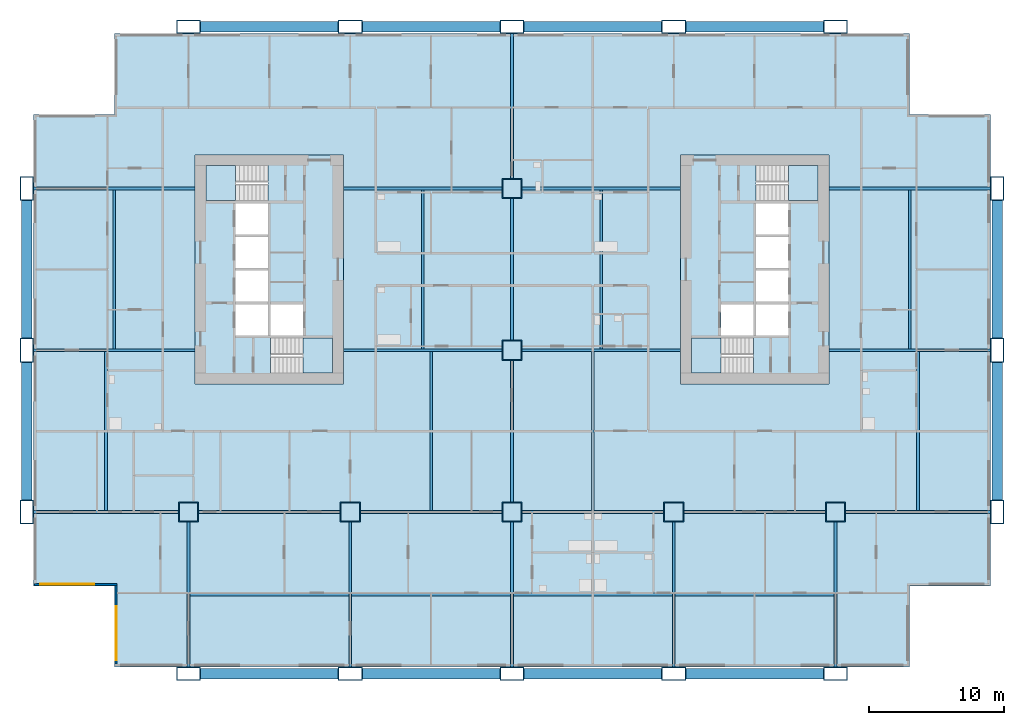
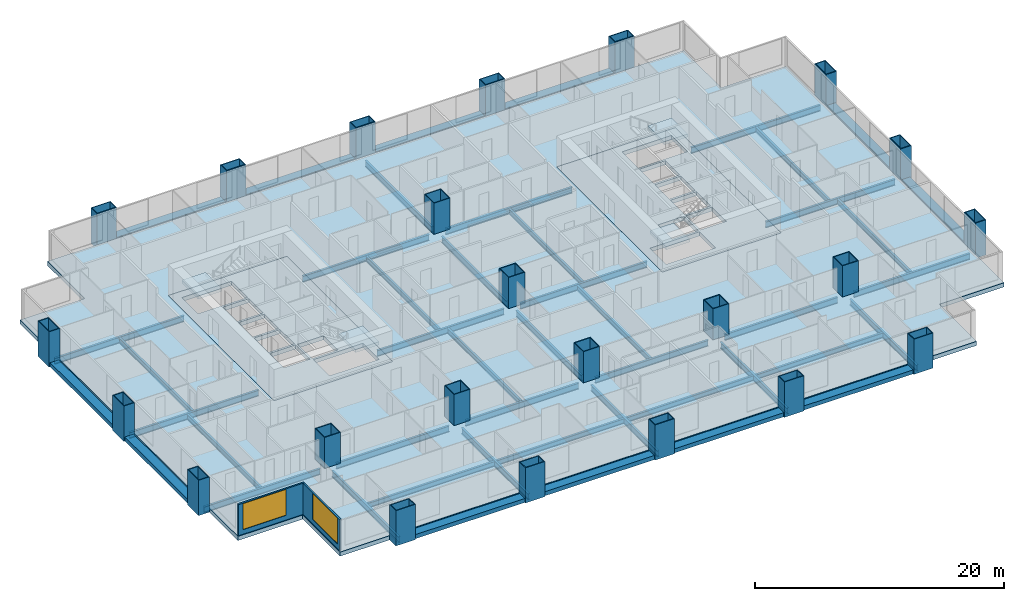
# One storey, part 1 of 13: 46 beams, 23 columns, 7 slabs, 2 walls, 2 windows, 2 openings, 4 elements without a shape of their own.
"""IFC4 building model written with IfcOpenShell, lengths in metres."""

from ifc_helpers import new_model, si_unit, direction, frame, frame_2d, origin, origin_2d, place, context, subcontext, project, spatial, polyline, rectangle, hollow_rectangle, i_section, outline, extrude, material, layer, layer_set, material_profile, profile_set, type_object, element, fill, aggregate, save


model = new_model("IFC4")

# Units and contexts
model_context = context("Model", 3, precision=1e-05, world=origin(), true_north=direction((0.0, 1.0)))
body_context = subcontext(model_context, "Body", "Model", "MODEL_VIEW")
ifc_project = project(units=[si_unit("LENGTHUNIT", "METRE"), si_unit("AREAUNIT", "SQUARE_METRE"), si_unit("VOLUMEUNIT", "CUBIC_METRE"), si_unit("PLANEANGLEUNIT", "RADIAN"), si_unit("MASSUNIT", "GRAM", prefix="KILO")], contexts=[model_context])

# Site, building, storey
site_placement = place(None, origin())
site = spatial("IfcSite", under=ifc_project, at=site_placement, CompositionType="ELEMENT")
building_placement = place(site_placement, origin())
building = spatial("IfcBuilding", under=site, at=building_placement, Name="Kitamizu Gate Tower and Museum", CompositionType="ELEMENT")
storey_placement = place(building_placement, frame((0.0, 0.0, 57.60009765625)))
storey = spatial("IfcBuildingStorey", under=building, at=storey_placement, Name="L13", CompositionType="ELEMENT", Elevation=57.60009765625)

# Columns
ifc_material_1 = material(Name="Steel SM490A bronze coated", Category="steel")
ifc_material_profile_1 = material_profile(ifc_material_1, hollow_rectangle(XDim=1.800048828125, YDim=1.0, WallThickness=0.070068359375, at=origin_2d()), Name="BOX 1800x1000x70")
ifc_profile_set_1 = profile_set([ifc_material_profile_1], Name="Steel SM490A bronze coated")
column_type_1 = type_object("IfcColumnType", Name="Exoskeleton column XC2 BOX 1800x1000x70", PredefinedType="COLUMN", material=ifc_profile_set_1)
for number, where, z_axis, x_axis, name in (
    (1, (0.0, 12.0, -0.400146484375), (0.0, 0.0, 1.0), (0.0, 1.0, 0.0), "Column XC2 1B L13"),
    (2, (0.0, 24.0, -0.400146484375), (0.0, 0.0, 1.0), (0.0, 1.0, 0.0), "Column XC2 1C L13"),
    (3, (0.0, 36.0, -0.400146484375), (0.0, 0.0, 1.0), (0.0, 1.0, 0.0), "Column XC2 1D L13"),
    (4, (12.0, 0.0, -0.400146484375), (0.0, 0.0, 1.0), (1.0, 0.0, 0.0), "Column XC2 2A L13"),
    (5, (12.0, 48.0, -0.400146484375), (0.0, 0.0, 1.0), (1.0, 0.0, 0.0), "Column XC2 2E L13"),
    (6, (24.0, 0.0, -0.400146484375), (0.0, 0.0, 1.0), (1.0, 0.0, 0.0), "Column XC2 3A L13"),
    (7, (24.0, 48.0, -0.400146484375), (0.0, 0.0, 1.0), (1.0, 0.0, 0.0), "Column XC2 3E L13"),
    (8, (36.0, 0.0, -0.400146484375), (0.0, 0.0, 1.0), (1.0, 0.0, 0.0), "Column XC2 4A L13"),
    (9, (36.0, 48.0, -0.400146484375), (0.0, 0.0, 1.0), (1.0, 0.0, 0.0), "Column XC2 4E L13"),
    (10, (48.0, 0.0, -0.400146484375), (0.0, 0.0, 1.0), (1.0, 0.0, 0.0), "Column XC2 5A L13"),
    (11, (48.0, 48.0, -0.400146484375), (0.0, 0.0, 1.0), (1.0, 0.0, 0.0), "Column XC2 5E L13"),
    (12, (60.0, 0.0, -0.400146484375), (0.0, 0.0, 1.0), (1.0, 0.0, 0.0), "Column XC2 6A L13"),
    (13, (60.0, 48.0, -0.400146484375), (0.0, 0.0, 1.0), (1.0, 0.0, 0.0), "Column XC2 6E L13"),
    (14, (72.0, 12.0, -0.400146484375), (0.0, 0.0, 1.0), (0.0, 1.0, 0.0), "Column XC2 7B L13"),
    (15, (72.0, 24.0, -0.400146484375), (0.0, 0.0, 1.0), (0.0, 1.0, 0.0), "Column XC2 7C L13"),
    (16, (72.0, 36.0, -0.400146484375), (0.0, 0.0, 1.0), (0.0, 1.0, 0.0), "Column XC2 7D L13"),
):
    element("IfcColumn", number, at=place(storey_placement, frame(where, z_axis=z_axis, x_axis=x_axis)), inside=storey, type_object=column_type_1, Name=name, PredefinedType="COLUMN", context=body_context, shape_type="SweptSolid", body=[
        extrude(hollow_rectangle(XDim=1.800048828125, YDim=1.0, WallThickness=0.070068359375, at=origin_2d()), origin(), (0.0, 0.0, 1.0), 3.449951171875),
    ])
ifc_material_2 = material(Name="Steel SM490A", Category="steel")
ifc_material_profile_2 = material_profile(ifc_material_2, hollow_rectangle(XDim=1.5, YDim=1.5, WallThickness=0.06494140625, at=origin_2d()), Name="BOX 1500x1500x65")
ifc_profile_set_2 = profile_set([ifc_material_profile_2], Name="Steel SM490A")
column_type_2 = type_object("IfcColumnType", Name="Interior column IC2 BOX 1500x1500x65", PredefinedType="COLUMN", material=ifc_profile_set_2)
for number, where, z_axis, x_axis, name in (
    (17, (12.0, 12.0, 0.0), (0.0, 0.0, 1.0), (1.0, 0.0, 0.0), "Column IC2 2B L13"),
    (18, (24.0, 12.0, 0.0), (0.0, 0.0, 1.0), (1.0, 0.0, 0.0), "Column IC2 3B L13"),
    (19, (36.0, 12.0, 0.0), (0.0, 0.0, 1.0), (1.0, 0.0, 0.0), "Column IC2 4B L13"),
    (20, (36.0, 24.0, 0.0), (0.0, 0.0, 1.0), (1.0, 0.0, 0.0), "Column IC2 4C L13"),
    (21, (36.0, 36.0, 0.0), (0.0, 0.0, 1.0), (1.0, 0.0, 0.0), "Column IC2 4D L13"),
    (22, (48.0, 12.0, 0.0), (0.0, 0.0, 1.0), (1.0, 0.0, 0.0), "Column IC2 5B L13"),
    (23, (60.0, 12.0, 0.0), (0.0, 0.0, 1.0), (1.0, 0.0, 0.0), "Column IC2 6B L13"),
):
    element("IfcColumn", number, at=place(storey_placement, frame(where, z_axis=z_axis, x_axis=x_axis)), inside=storey, type_object=column_type_2, Name=name, PredefinedType="COLUMN", context=body_context, shape_type="SweptSolid", body=[
        extrude(hollow_rectangle(XDim=1.5, YDim=1.5, WallThickness=0.06494140625, at=origin_2d()), origin(), (0.0, 0.0, 1.0), 3.0498046875),
    ])

# Beams
ifc_material_3 = material(Name="Steel SM490A bronze coated", Category="steel")
ifc_material_profile_3 = material_profile(ifc_material_3, hollow_rectangle(XDim=0.800048828125, YDim=0.39990234375, WallThickness=0.0400390625, at=origin_2d()), Name="BOX 800x400x40")
ifc_profile_set_3 = profile_set([ifc_material_profile_3], Name="Steel SM490A bronze coated")
beam_type_1 = type_object("IfcBeamType", Name="Exoskeleton spandrel beam SB1 BOX 800x400x40", PredefinedType="SPANDREL", material=ifc_profile_set_3)
for number, where, z_axis, x_axis, name in (
    (24, (12.89990234375, 0.0, -0.2001953125), (1.0, 0.0, 0.0), (0.0, 1.0, 0.0), "Exoskeleton spandrel beam south 12 L13"),
    (25, (24.89990234375, 0.0, -0.2001953125), (1.0, 0.0, 0.0), (0.0, 1.0, 0.0), "Exoskeleton spandrel beam south 24 L13"),
    (26, (36.89990234375, 0.0, -0.2001953125), (1.0, 0.0, 0.0), (0.0, 1.0, 0.0), "Exoskeleton spandrel beam south 36 L13"),
    (27, (48.89990234375, 0.0, -0.2001953125), (1.0, 0.0, 0.0), (0.0, 1.0, 0.0), "Exoskeleton spandrel beam south 48 L13"),
    (28, (12.89990234375, 48.0, -0.2001953125), (1.0, 0.0, 0.0), (0.0, 1.0, 0.0), "Exoskeleton spandrel beam north 12 L13"),
    (29, (24.89990234375, 48.0, -0.2001953125), (1.0, 0.0, 0.0), (0.0, 1.0, 0.0), "Exoskeleton spandrel beam north 24 L13"),
    (30, (36.89990234375, 48.0, -0.2001953125), (1.0, 0.0, 0.0), (0.0, 1.0, 0.0), "Exoskeleton spandrel beam north 36 L13"),
    (31, (48.89990234375, 48.0, -0.2001953125), (1.0, 0.0, 0.0), (0.0, 1.0, 0.0), "Exoskeleton spandrel beam north 48 L13"),
    (32, (0.0, 12.89990234375, -0.2001953125), (0.0, 1.0, 0.0), (-1.0, 0.0, 0.0), "Exoskeleton spandrel beam west 12 L13"),
    (33, (0.0, 24.89990234375, -0.2001953125), (0.0, 1.0, 0.0), (-1.0, 0.0, 0.0), "Exoskeleton spandrel beam west 24 L13"),
    (34, (72.0, 12.89990234375, -0.2001953125), (0.0, 1.0, 0.0), (-1.0, 0.0, 0.0), "Exoskeleton spandrel beam east 12 L13"),
    (35, (72.0, 24.89990234375, -0.2001953125), (0.0, 1.0, 0.0), (-1.0, 0.0, 0.0), "Exoskeleton spandrel beam east 24 L13"),
):
    element("IfcBeam", number, at=place(storey_placement, frame(where, z_axis=z_axis, x_axis=x_axis)), inside=storey, type_object=beam_type_1, Name=name, PredefinedType="SPANDREL", context=body_context, shape_type="SweptSolid", body=[
        extrude(hollow_rectangle(XDim=0.800048828125, YDim=0.39990234375, WallThickness=0.0400390625, at=origin_2d()), origin(), (0.0, 0.0, 1.0), 10.2001953125),
    ])
ifc_material_4 = material(Name="Steel SM490A", Category="steel")
ifc_material_profile_4 = material_profile(ifc_material_4, i_section(OverallWidth=0.199951171875, OverallDepth=0.5, WebThickness=0.010009765625, FlangeThickness=0.01611328125, FilletRadius=0.02001953125, at=origin_2d()), Name="H-500x200x10x16")
ifc_profile_set_4 = profile_set([ifc_material_profile_4], Name="Steel SM490A")
beam_type_2 = type_object("IfcBeamType", Name="Floor beam FB1 H 500x200x10x16", PredefinedType="BEAM", material=ifc_profile_set_4)
for number, where, z_axis, x_axis, name in (
    (36, (12.10009765625, 5.875, -0.650146484375), (1.0, 0.0, 0.0), (0.0, 1.0, 0.0), "Floor beam FB1 L13-1"),
    (37, (24.10009765625, 5.875, -0.650146484375), (1.0, 0.0, 0.0), (0.0, 1.0, 0.0), "Floor beam FB1 L13-2"),
    (38, (36.10009765625, 5.875, -0.650146484375), (1.0, 0.0, 0.0), (0.0, 1.0, 0.0), "Floor beam FB1 L13-3"),
    (39, (48.10009765625, 5.875, -0.650146484375), (1.0, 0.0, 0.0), (0.0, 1.0, 0.0), "Floor beam FB1 L13-4"),
    (40, (5.875, 12.10009765625, -0.650146484375), (0.0, 1.0, 0.0), (-1.0, 0.0, 0.0), "Floor beam FB1 L13-5"),
    (41, (30.0, 12.10009765625, -0.650146484375), (0.0, 1.0, 0.0), (-1.0, 0.0, 0.0), "Floor beam FB1 L13-6"),
    (42, (42.0, 12.10009765625, -0.650146484375), (0.0, 1.0, 0.0), (-1.0, 0.0, 0.0), "Floor beam FB1 L13-7"),
    (43, (66.125, 12.10009765625, -0.650146484375), (0.0, 1.0, 0.0), (-1.0, 0.0, 0.0), "Floor beam FB1 L13-8"),
    (44, (6.5, 24.10009765625, -0.650146484375), (0.0, 1.0, 0.0), (-1.0, 0.0, 0.0), "Floor beam FB1 L13-9"),
    (45, (29.375, 24.10009765625, -0.650146484375), (0.0, 1.0, 0.0), (-1.0, 0.0, 0.0), "Floor beam FB1 L13-10"),
    (46, (42.625, 24.10009765625, -0.650146484375), (0.0, 1.0, 0.0), (-1.0, 0.0, 0.0), "Floor beam FB1 L13-11"),
    (47, (65.5, 24.10009765625, -0.650146484375), (0.0, 1.0, 0.0), (-1.0, 0.0, 0.0), "Floor beam FB1 L13-12"),
):
    element("IfcBeam", number, at=place(storey_placement, frame(where, z_axis=z_axis, x_axis=x_axis)), inside=storey, type_object=beam_type_2, Name=name, PredefinedType="BEAM", context=body_context, shape_type="SweptSolid", body=[
        extrude(i_section(OverallWidth=0.199951171875, OverallDepth=0.5, WebThickness=0.010009765625, FlangeThickness=0.01611328125, FilletRadius=0.02001953125, at=origin_2d()), origin(), (0.0, 0.0, 1.0), 11.7998046875),
    ])
ifc_material_5 = material(Name="Steel SM490A", Category="steel")
ifc_material_profile_5 = material_profile(ifc_material_5, i_section(OverallWidth=0.199951171875, OverallDepth=0.60009765625, WebThickness=0.010986328125, FlangeThickness=0.01708984375, FilletRadius=0.02197265625, at=origin_2d()), Name="H-600x200x11x17")
ifc_profile_set_5 = profile_set([ifc_material_profile_5], Name="Steel SM490A")
beam_type_3 = type_object("IfcBeamType", Name="Floor girder FG1 H 600x200x11x17", PredefinedType="BEAM", material=ifc_profile_set_5)
for number, where, z_axis, x_axis, name in (
    (48, (12.0, 0.5, -0.7001953125), (0.0, 1.0, 0.0), (-1.0, 0.0, 0.0), "Floor girder FG1 x12 L13"),
    (49, (24.0, 0.5, -0.7001953125), (0.0, 1.0, 0.0), (-1.0, 0.0, 0.0), "Floor girder FG1 x24 L13"),
    (50, (36.0, 0.5, -0.7001953125), (0.0, 1.0, 0.0), (-1.0, 0.0, 0.0), "Floor girder FG1 x36 L13"),
):
    element("IfcBeam", number, at=place(storey_placement, frame(where, z_axis=z_axis, x_axis=x_axis)), inside=storey, type_object=beam_type_3, Name=name, PredefinedType="BEAM", context=body_context, shape_type="SweptSolid", body=[
        extrude(i_section(OverallWidth=0.199951171875, OverallDepth=0.60009765625, WebThickness=0.010986328125, FlangeThickness=0.01708984375, FilletRadius=0.02197265625, at=origin_2d()), origin(), (0.0, 0.0, 1.0), 10.75),
    ])
for number, where, z_axis, x_axis, name in (
    (51, (36.0, 12.75, -0.7001953125), (0.0, 1.0, 0.0), (-1.0, 0.0, 0.0), "Floor girder FG1 x36 L13"),
    (52, (36.0, 24.75, -0.7001953125), (0.0, 1.0, 0.0), (-1.0, 0.0, 0.0), "Floor girder FG1 x36 L13"),
):
    element("IfcBeam", number, at=place(storey_placement, frame(where, z_axis=z_axis, x_axis=x_axis)), inside=storey, type_object=beam_type_3, Name=name, PredefinedType="BEAM", context=body_context, shape_type="SweptSolid", body=[
        extrude(i_section(OverallWidth=0.199951171875, OverallDepth=0.60009765625, WebThickness=0.010986328125, FlangeThickness=0.01708984375, FilletRadius=0.02197265625, at=origin_2d()), origin(), (0.0, 0.0, 1.0), 10.5),
    ])
for number, where, z_axis, x_axis, name in (
    (53, (36.0, 36.75, -0.7001953125), (0.0, 1.0, 0.0), (-1.0, 0.0, 0.0), "Floor girder FG1 x36 L13"),
    (54, (48.0, 0.5, -0.7001953125), (0.0, 1.0, 0.0), (-1.0, 0.0, 0.0), "Floor girder FG1 x48 L13"),
    (55, (60.0, 0.5, -0.7001953125), (0.0, 1.0, 0.0), (-1.0, 0.0, 0.0), "Floor girder FG1 x60 L13"),
    (56, (0.5, 12.0, -0.7001953125), (1.0, 0.0, 0.0), (0.0, 1.0, 0.0), "Floor girder FG1 y12 L13"),
):
    element("IfcBeam", number, at=place(storey_placement, frame(where, z_axis=z_axis, x_axis=x_axis)), inside=storey, type_object=beam_type_3, Name=name, PredefinedType="BEAM", context=body_context, shape_type="SweptSolid", body=[
        extrude(i_section(OverallWidth=0.199951171875, OverallDepth=0.60009765625, WebThickness=0.010986328125, FlangeThickness=0.01708984375, FilletRadius=0.02197265625, at=origin_2d()), origin(), (0.0, 0.0, 1.0), 10.75),
    ])
for number, where, z_axis, x_axis, name in (
    (57, (12.75, 12.0, -0.7001953125), (1.0, 0.0, 0.0), (0.0, 1.0, 0.0), "Floor girder FG1 y12 L13"),
    (58, (24.75, 12.0, -0.7001953125), (1.0, 0.0, 0.0), (0.0, 1.0, 0.0), "Floor girder FG1 y12 L13"),
    (59, (36.75, 12.0, -0.7001953125), (1.0, 0.0, 0.0), (0.0, 1.0, 0.0), "Floor girder FG1 y12 L13"),
    (60, (48.75, 12.0, -0.7001953125), (1.0, 0.0, 0.0), (0.0, 1.0, 0.0), "Floor girder FG1 y12 L13"),
):
    element("IfcBeam", number, at=place(storey_placement, frame(where, z_axis=z_axis, x_axis=x_axis)), inside=storey, type_object=beam_type_3, Name=name, PredefinedType="BEAM", context=body_context, shape_type="SweptSolid", body=[
        extrude(i_section(OverallWidth=0.199951171875, OverallDepth=0.60009765625, WebThickness=0.010986328125, FlangeThickness=0.01708984375, FilletRadius=0.02197265625, at=origin_2d()), origin(), (0.0, 0.0, 1.0), 10.5),
    ])
beam_1_placement = place(storey_placement, frame((60.75, 12.0, -0.7001953125), z_axis=(1.0, 0.0, 0.0), x_axis=(0.0, 1.0, 0.0)))
element("IfcBeam", 61, at=beam_1_placement, inside=storey, type_object=beam_type_3, Name="Floor girder FG1 y12 L13", PredefinedType="BEAM", context=body_context, shape_type="SweptSolid", body=[
    extrude(i_section(OverallWidth=0.199951171875, OverallDepth=0.60009765625, WebThickness=0.010986328125, FlangeThickness=0.01708984375, FilletRadius=0.02197265625, at=origin_2d()), origin(), (0.0, 0.0, 1.0), 10.75),
])
beam_2_placement = place(storey_placement, frame((0.5, 24.0, -0.7001953125), z_axis=(1.0, 0.0, 0.0), x_axis=(0.0, 1.0, 0.0)))
element("IfcBeam", 62, at=beam_2_placement, inside=storey, type_object=beam_type_3, Name="Floor girder FG1 y24 L13", PredefinedType="BEAM", context=body_context, shape_type="SweptSolid", body=[
    extrude(i_section(OverallWidth=0.199951171875, OverallDepth=0.60009765625, WebThickness=0.010986328125, FlangeThickness=0.01708984375, FilletRadius=0.02197265625, at=origin_2d()), origin(), (0.0, 0.0, 1.0), 12.0),
])
for number, where, z_axis, x_axis, name in (
    (63, (23.5, 24.0, -0.7001953125), (1.0, 0.0, 0.0), (0.0, 1.0, 0.0), "Floor girder FG1 y24 L13"),
    (64, (36.75, 24.0, -0.7001953125), (1.0, 0.0, 0.0), (0.0, 1.0, 0.0), "Floor girder FG1 y24 L13"),
):
    element("IfcBeam", number, at=place(storey_placement, frame(where, z_axis=z_axis, x_axis=x_axis)), inside=storey, type_object=beam_type_3, Name=name, PredefinedType="BEAM", context=body_context, shape_type="SweptSolid", body=[
        extrude(i_section(OverallWidth=0.199951171875, OverallDepth=0.60009765625, WebThickness=0.010986328125, FlangeThickness=0.01708984375, FilletRadius=0.02197265625, at=origin_2d()), origin(), (0.0, 0.0, 1.0), 11.75),
    ])
for number, where, z_axis, x_axis, name in (
    (65, (59.5, 24.0, -0.7001953125), (1.0, 0.0, 0.0), (0.0, 1.0, 0.0), "Floor girder FG1 y24 L13"),
    (66, (0.5, 36.0, -0.7001953125), (1.0, 0.0, 0.0), (0.0, 1.0, 0.0), "Floor girder FG1 y36 L13"),
):
    element("IfcBeam", number, at=place(storey_placement, frame(where, z_axis=z_axis, x_axis=x_axis)), inside=storey, type_object=beam_type_3, Name=name, PredefinedType="BEAM", context=body_context, shape_type="SweptSolid", body=[
        extrude(i_section(OverallWidth=0.199951171875, OverallDepth=0.60009765625, WebThickness=0.010986328125, FlangeThickness=0.01708984375, FilletRadius=0.02197265625, at=origin_2d()), origin(), (0.0, 0.0, 1.0), 12.0),
    ])
for number, where, z_axis, x_axis, name in (
    (67, (23.5, 36.0, -0.7001953125), (1.0, 0.0, 0.0), (0.0, 1.0, 0.0), "Floor girder FG1 y36 L13"),
    (68, (36.75, 36.0, -0.7001953125), (1.0, 0.0, 0.0), (0.0, 1.0, 0.0), "Floor girder FG1 y36 L13"),
):
    element("IfcBeam", number, at=place(storey_placement, frame(where, z_axis=z_axis, x_axis=x_axis)), inside=storey, type_object=beam_type_3, Name=name, PredefinedType="BEAM", context=body_context, shape_type="SweptSolid", body=[
        extrude(i_section(OverallWidth=0.199951171875, OverallDepth=0.60009765625, WebThickness=0.010986328125, FlangeThickness=0.01708984375, FilletRadius=0.02197265625, at=origin_2d()), origin(), (0.0, 0.0, 1.0), 11.75),
    ])
beam_3_placement = place(storey_placement, frame((59.5, 36.0, -0.7001953125), z_axis=(1.0, 0.0, 0.0), x_axis=(0.0, 1.0, 0.0)))
element("IfcBeam", 69, at=beam_3_placement, inside=storey, type_object=beam_type_3, Name="Floor girder FG1 y36 L13", PredefinedType="BEAM", context=body_context, shape_type="SweptSolid", body=[
    extrude(i_section(OverallWidth=0.199951171875, OverallDepth=0.60009765625, WebThickness=0.010986328125, FlangeThickness=0.01708984375, FilletRadius=0.02197265625, at=origin_2d()), origin(), (0.0, 0.0, 1.0), 12.0),
])

# Slabs
ifc_material_6 = material(Name="Concrete Fc36", Category="concrete")
ifc_layer_1 = layer(ifc_material_6, 0.39990234375)
ifc_layer_set_1 = layer_set([ifc_layer_1], Name="Concrete Fc36")
slab_type_1 = type_object("IfcSlabType", Name="Core floor slab 400", PredefinedType="FLOOR", material=ifc_layer_set_1)
slab_1_placement = place(storey_placement, frame((0.0, 0.0, -0.400146484375)))
element("IfcSlab", 70, at=slab_1_placement, inside=storey, type_object=slab_type_1, Name="Core floor slab W", PredefinedType="FLOOR", context=body_context, shape_type="SweptSolid", body=[
    extrude(outline(polyline([(12.5, 21.5), (23.5, 21.5), (23.5, 38.5), (12.5, 38.5), (12.5, 21.5)]), holes=[polyline([(15.5, 25.10009765625), (17.89990234375, 25.10009765625), (17.89990234375, 27.39990234375), (15.5, 27.39990234375), (15.5, 25.10009765625)]), polyline([(15.5, 27.60009765625), (17.89990234375, 27.60009765625), (17.89990234375, 29.89990234375), (15.5, 29.89990234375), (15.5, 27.60009765625)]), polyline([(15.5, 30.10009765625), (17.89990234375, 30.10009765625), (17.89990234375, 32.39990234375), (15.5, 32.39990234375), (15.5, 30.10009765625)]), polyline([(15.5, 32.60009765625), (17.89990234375, 32.60009765625), (17.89990234375, 34.89990234375), (15.5, 34.89990234375), (15.5, 32.60009765625)]), polyline([(18.10009765625, 25.10009765625), (20.5, 25.10009765625), (20.5, 27.39990234375), (18.10009765625, 27.39990234375), (18.10009765625, 25.10009765625)]), polyline([(18.1005859375, 22.300048828125), (22.699951171875, 22.300048828125), (22.699951171875, 24.89990234375), (18.1005859375, 24.89990234375), (18.1005859375, 22.300048828125)]), polyline([(13.300048828125, 35.10009765625), (17.8994140625, 35.10009765625), (17.8994140625, 37.699951171875), (13.300048828125, 37.699951171875), (13.300048828125, 35.10009765625)])]), origin(), (0.0, 0.0, 1.0), 0.400146484375),
])
slab_2_placement = place(storey_placement, frame((0.0, 0.0, -0.400146484375)))
element("IfcSlab", 71, at=slab_2_placement, inside=storey, type_object=slab_type_1, Name="Core floor slab E", PredefinedType="FLOOR", context=body_context, shape_type="SweptSolid", body=[
    extrude(outline(polyline([(48.5, 21.5), (59.5, 21.5), (59.5, 38.5), (48.5, 38.5), (48.5, 21.5)]), holes=[polyline([(54.10009765625, 25.10009765625), (56.5, 25.10009765625), (56.5, 27.39990234375), (54.10009765625, 27.39990234375), (54.10009765625, 25.10009765625)]), polyline([(54.10009765625, 27.60009765625), (56.5, 27.60009765625), (56.5, 29.89990234375), (54.10009765625, 29.89990234375), (54.10009765625, 27.60009765625)]), polyline([(54.10009765625, 30.10009765625), (56.5, 30.10009765625), (56.5, 32.39990234375), (54.10009765625, 32.39990234375), (54.10009765625, 30.10009765625)]), polyline([(54.10009765625, 32.60009765625), (56.5, 32.60009765625), (56.5, 34.89990234375), (54.10009765625, 34.89990234375), (54.10009765625, 32.60009765625)]), polyline([(51.5, 25.10009765625), (53.89990234375, 25.10009765625), (53.89990234375, 27.39990234375), (51.5, 27.39990234375), (51.5, 25.10009765625)]), polyline([(49.300048828125, 22.300048828125), (53.8994140625, 22.300048828125), (53.8994140625, 24.89990234375), (49.300048828125, 24.89990234375), (49.300048828125, 22.300048828125)]), polyline([(54.1005859375, 35.10009765625), (58.699951171875, 35.10009765625), (58.699951171875, 37.699951171875), (54.1005859375, 37.699951171875), (54.1005859375, 35.10009765625)])]), origin(), (0.0, 0.0, 1.0), 0.400146484375),
])
ifc_material_7 = material(Name="Concrete Fc36", Category="concrete")
ifc_layer_2 = layer(ifc_material_7, 0.39990234375)
ifc_layer_set_2 = layer_set([ifc_layer_2], Name="Concrete Fc36")
slab_type_2 = type_object("IfcSlabType", Name="Post tensioned flat slab 400", PredefinedType="FLOOR", material=ifc_layer_set_2)
slab_3_placement = place(storey_placement, frame((0.0, 0.0, -0.400146484375)))
element("IfcSlab", 72, at=slab_3_placement, inside=storey, type_object=slab_type_2, Name="Floor slab L13-1", PredefinedType="FLOOR", context=body_context, shape_type="SweptSolid", body=[
    extrude(outline(polyline([(0.5, 6.5), (0.5, 41.5), (6.5, 41.5), (6.5, 47.5), (65.5, 47.5), (65.5, 41.5), (71.5, 41.5), (71.5, 6.5), (65.5, 6.5), (65.5, 0.5), (6.5, 0.5), (6.5, 6.5), (0.5, 6.5)]), holes=[polyline([(59.5, 38.5), (48.5, 38.5), (48.5, 21.5), (59.5, 21.5), (59.5, 38.5)]), polyline([(12.5, 38.5), (12.5, 21.5), (23.5, 21.5), (23.5, 38.5), (12.5, 38.5)])]), origin(), (0.0, 0.0, 1.0), 0.400146484375),
])

# Stair, slab
ifc_material_8 = material(Name="Concrete Fc42", Category="concrete")
stair_type = type_object("IfcStairType", Name="Exit stair 1200 wide 192 rise 300 going", PredefinedType="HALF_TURN_STAIR", material=ifc_material_8)
stair_1_placement = place(storey_placement, origin())
stair_1 = element("IfcStair", 73, at=stair_1_placement, inside=storey, type_object=stair_type, Name="Exit stair ST1", PredefinedType="HALF_TURN_STAIR")
ifc_material_9 = material(Name="Concrete Fc42", Category="concrete")
ifc_layer_3 = layer(ifc_material_9, 0.300048828125)
ifc_layer_set_3 = layer_set([ifc_layer_3], Name="Concrete Fc42")
slab_type_3 = type_object("IfcSlabType", Name="Stair landing 300", PredefinedType="LANDING", material=ifc_layer_set_3)
slab_4_placement = place(storey_placement, frame((0.0, 0.0, 1.4248046875)))
slab_4 = element("IfcSlab", 74, at=slab_4_placement, type_object=slab_type_3, Name="ST1 landing 1", PredefinedType="LANDING", context=body_context, shape_type="SweptSolid", body=[
    extrude(outline(polyline([(20.5, 22.300048828125), (22.699951171875, 22.300048828125), (22.699951171875, 24.89990234375), (20.5, 24.89990234375), (20.5, 22.300048828125)])), origin(), (0.0, 0.0, 1.0), 0.300048828125),
])
aggregate(stair_1, [slab_4])

stair_2_placement = place(storey_placement, origin())
stair_2 = element("IfcStair", 75, at=stair_2_placement, inside=storey, type_object=stair_type, Name="Exit stair ST2", PredefinedType="HALF_TURN_STAIR")
slab_5_placement = place(storey_placement, frame((0.0, 0.0, 1.4248046875)))
slab_5 = element("IfcSlab", 76, at=slab_5_placement, type_object=slab_type_3, Name="ST2 landing 1", PredefinedType="LANDING", context=body_context, shape_type="SweptSolid", body=[
    extrude(outline(polyline([(13.300048828125, 35.10009765625), (15.5, 35.10009765625), (15.5, 37.699951171875), (13.300048828125, 37.699951171875), (13.300048828125, 35.10009765625)])), origin(), (0.0, 0.0, 1.0), 0.300048828125),
])
aggregate(stair_2, [slab_5])

stair_3_placement = place(storey_placement, origin())
stair_3 = element("IfcStair", 77, at=stair_3_placement, inside=storey, type_object=stair_type, Name="Exit stair ST3", PredefinedType="HALF_TURN_STAIR")
slab_6_placement = place(storey_placement, frame((0.0, 0.0, 1.4248046875)))
slab_6 = element("IfcSlab", 78, at=slab_6_placement, type_object=slab_type_3, Name="ST3 landing 1", PredefinedType="LANDING", context=body_context, shape_type="SweptSolid", body=[
    extrude(outline(polyline([(49.300048828125, 22.300048828125), (51.5, 22.300048828125), (51.5, 24.89990234375), (49.300048828125, 24.89990234375), (49.300048828125, 22.300048828125)])), origin(), (0.0, 0.0, 1.0), 0.300048828125),
])
aggregate(stair_3, [slab_6])

stair_4_placement = place(storey_placement, origin())
stair_4 = element("IfcStair", 79, at=stair_4_placement, inside=storey, type_object=stair_type, Name="Exit stair ST4", PredefinedType="HALF_TURN_STAIR")
slab_7_placement = place(storey_placement, frame((0.0, 0.0, 1.4248046875)))
slab_7 = element("IfcSlab", 80, at=slab_7_placement, type_object=slab_type_3, Name="ST4 landing 1", PredefinedType="LANDING", context=body_context, shape_type="SweptSolid", body=[
    extrude(outline(polyline([(56.5, 35.10009765625), (58.699951171875, 35.10009765625), (58.699951171875, 37.699951171875), (56.5, 37.699951171875), (56.5, 35.10009765625)])), origin(), (0.0, 0.0, 1.0), 0.300048828125),
])
aggregate(stair_4, [slab_7])

# Wall, opening, window
ifc_material_10 = material(Name="Bronze anodised aluminium frame with insulated spandrel and tinted glass", Category="aluminium")
ifc_layer_4 = layer(ifc_material_10, 0.14990234375)
ifc_layer_set_4 = layer_set([ifc_layer_4], Name="Bronze anodised aluminium frame with insulated spandrel and tinted glass")
wall_type = type_object("IfcWallType", Name="WINDOW WALL 150 BRONZE FRAME EI 30", PredefinedType="ELEMENTEDWALL", material=ifc_layer_set_4)
wall_1_placement = place(storey_placement, frame((0.56005859375, 6.635009765625, 0.0), z_axis=(0.0, 0.0, 1.0), x_axis=(1.0, 0.0, 0.0)))
wall_1 = element("IfcWall", 81, at=wall_1_placement, inside=storey, type_object=wall_type, Name="Window wall south L13", PredefinedType="ELEMENTEDWALL", context=body_context, shape_type="SweptSolid", body=[
    extrude(rectangle(XDim=6.14990234375, YDim=0.14990234375, at=frame_2d((3.074951171875, 0.0))), origin(), (0.0, 0.0, 1.0), 3.0498046875),
])
opening_1_placement = place(wall_1_placement, frame((0.43994140625, 0.0, 0.449951171875)))
opening_1 = element("IfcOpeningElement", 82, at=opening_1_placement, cuts=wall_1, Name="Opening W16", PredefinedType="OPENING", context=body_context, shape_type="SweptSolid", body=[
    extrude(rectangle(XDim=4.0, YDim=2.550048828125, at=frame_2d((2.0, 1.27490234375))), frame((0.0, 0.0849609375, 0.0), z_axis=(0.0, -1.0, 0.0), x_axis=(1.0, 0.0, 0.0)), (0.0, 0.0, 1.0), 0.169921875),
])
ifc_material_11 = material(Name="Bronze anodised aluminium frame, tinted triple glazing", Category="aluminium")
window_type = type_object("IfcWindowType", Name="WINDOW 4000 x 2550 SILL 450", PartitioningType="SINGLE_PANEL", PredefinedType="WINDOW", material=ifc_material_11)
window_1_placement = place(opening_1_placement, origin())
window_1 = element("IfcWindow", 83, at=window_1_placement, inside=storey, type_object=window_type, Name="Window W16 L13", OverallHeight=2.550048828125, OverallWidth=4.0, PartitioningType="SINGLE_PANEL", PredefinedType="WINDOW", context=body_context, shape_type="SweptSolid", body=[
    extrude(rectangle(XDim=4.0, YDim=2.550048828125, at=frame_2d((2.0, 1.27490234375))), frame((0.0, 0.030029296875, 0.0), z_axis=(0.0, -1.0, 0.0), x_axis=(1.0, 0.0, 0.0)), (0.0, 0.0, 1.0), 0.06005859375),
])
fill(opening_1, window_1)

wall_2_placement = place(storey_placement, frame((6.635009765625, 0.7099609375, 0.0), z_axis=(0.0, 0.0, 1.0), x_axis=(0.0, 1.0, 0.0)))
wall_2 = element("IfcWall", 84, at=wall_2_placement, inside=storey, type_object=wall_type, Name="Window wall west L13", PredefinedType="ELEMENTEDWALL", context=body_context, shape_type="SweptSolid", body=[
    extrude(rectangle(XDim=5.85009765625, YDim=0.14990234375, at=frame_2d((2.925048828125, 0.0))), origin(), (0.0, 0.0, 1.0), 3.0498046875),
])
opening_2_placement = place(wall_2_placement, frame((0.2900390625, 0.0, 0.449951171875)))
opening_2 = element("IfcOpeningElement", 85, at=opening_2_placement, cuts=wall_2, Name="Opening W16", PredefinedType="OPENING", context=body_context, shape_type="SweptSolid", body=[
    extrude(rectangle(XDim=4.0, YDim=2.550048828125, at=frame_2d((2.0, 1.27490234375))), frame((0.0, 0.0849609375, 0.0), z_axis=(0.0, -1.0, 0.0), x_axis=(1.0, 0.0, 0.0)), (0.0, 0.0, 1.0), 0.169921875),
])
window_2_placement = place(opening_2_placement, origin())
window_2 = element("IfcWindow", 86, at=window_2_placement, inside=storey, type_object=window_type, Name="Window W16 L13", OverallHeight=2.550048828125, OverallWidth=4.0, PartitioningType="SINGLE_PANEL", PredefinedType="WINDOW", context=body_context, shape_type="SweptSolid", body=[
    extrude(rectangle(XDim=4.0, YDim=2.550048828125, at=frame_2d((2.0, 1.27490234375))), frame((0.0, 0.030029296875, 0.0), z_axis=(0.0, -1.0, 0.0), x_axis=(1.0, 0.0, 0.0)), (0.0, 0.0, 1.0), 0.06005859375),
])
fill(opening_2, window_2)

save(model, "model.ifc")
